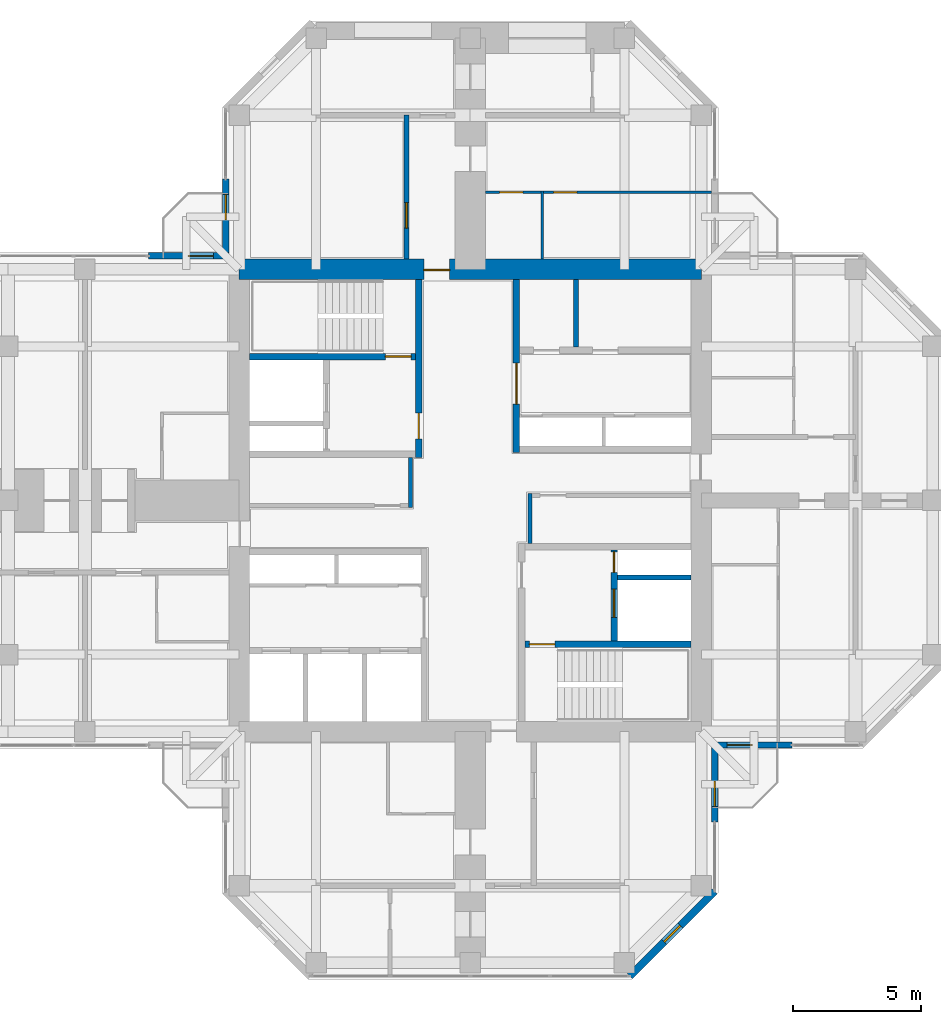
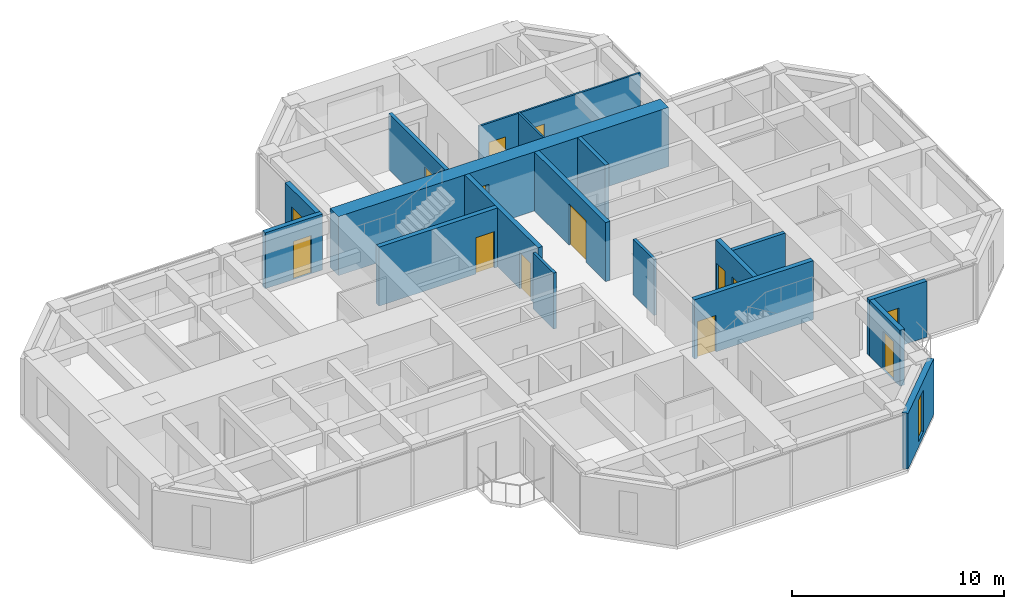
# One storey, part 10 of 13: 18 walls, 14 doors, 1 window, 15 openings.
"""IFC4 building model written with IfcOpenShell, lengths in metres."""

import ifcopenshell
import ifcopenshell.guid

model = None  # the IFC model being written
_history = None  # IfcOwnerHistory: only IFC2X3 demands one
_inside = {}  # id of a spatial element -> (the spatial element, [elements in it])
_under = {}  # id of a project, library or spatial element -> (it, [spatial elements below it])
_declared = {}  # id of a project -> (the project, [libraries it declares])
_typed = {}  # id of a type object -> (the type object, [elements of that type])
_made_of = {}  # id of a material, layer set ... -> (it, [elements and type objects made of it])


def new_model(schema):
    """Start an empty IFC model of exactly this schema.

    Asked for "IFC4X3", IfcOpenShell would pick the latest addendum, in which some entities
    have other attributes; the version numbers below select the first issue.
    IFC2X3 requires an IfcOwnerHistory on every rooted entity: one is made here for all.
    """
    global model, _history
    if schema == "IFC4X3":
        model = ifcopenshell.file(schema_version=(4, 3, 0, 0))
    else:
        model = ifcopenshell.file(schema=schema)
    _inside.clear()
    _under.clear()
    _declared.clear()
    _typed.clear()
    _made_of.clear()
    _history = None
    if model.schema == "IFC2X3":
        org = make("IfcOrganization", Name="unknown")
        user = make(
            "IfcPersonAndOrganization",
            ThePerson=make("IfcPerson", FamilyName="unknown"),
            TheOrganization=org,
        )
        app = make(
            "IfcApplication",
            ApplicationDeveloper=org,
            Version="unknown",
            ApplicationFullName="unknown",
            ApplicationIdentifier="unknown",
        )
        _history = make(
            "IfcOwnerHistory",
            OwningUser=user,
            OwningApplication=app,
            ChangeAction="ADDED",
            CreationDate=0,
        )
    return model


def make(cls, **values):
    """One entity of the class cls with the attributes given. An attribute that is None is left unset."""
    return model.create_entity(
        cls, **{name: value for name, value in values.items() if value is not None}
    )


def rooted(cls, **values):
    """An entity with a GlobalId (a new one), such as an element, a storey or a relation."""
    return make(cls, GlobalId=ifcopenshell.guid.new(), OwnerHistory=_history, **values)


def si_unit(unit_type, name, prefix=None):
    """IfcSIUnit, for example si_unit("LENGTHUNIT", "METRE", prefix="MILLI")."""
    return make("IfcSIUnit", UnitType=unit_type, Prefix=prefix, Name=name)


def assignment(units):
    """IfcUnitAssignment: the units of a project."""
    return None if units is None else make("IfcUnitAssignment", Units=units)


def point(xyz):
    """IfcCartesianPoint."""
    return None if xyz is None else make("IfcCartesianPoint", Coordinates=xyz)


def direction(xyz):
    """IfcDirection."""
    return None if xyz is None else make("IfcDirection", DirectionRatios=xyz)


def frame(location, z_axis=None, x_axis=None):
    """IfcAxis2Placement3D, a coordinate frame: its origin and axes. An axis left out is left unset."""
    return make(
        "IfcAxis2Placement3D",
        Location=point(location),
        Axis=direction(z_axis),
        RefDirection=direction(x_axis),
    )


def frame_2d(location, x_axis=None):
    """IfcAxis2Placement2D, a coordinate frame in the plane: its origin and x axis."""
    return make(
        "IfcAxis2Placement2D", Location=point(location), RefDirection=direction(x_axis)
    )


def origin():
    """The frame at (0, 0, 0) with its axes left unset."""
    return frame((0.0, 0.0, 0.0))


def place(relative_to, where):
    """IfcLocalPlacement: puts the frame where relative to a parent placement (None: the world)."""
    return make(
        "IfcLocalPlacement", PlacementRelTo=relative_to, RelativePlacement=where
    )


def context(
    kind, dimensions, precision=None, world=None, true_north=None, identifier=None
):
    """IfcGeometricRepresentationContext, for example the 3D "Model" context."""
    return make(
        "IfcGeometricRepresentationContext",
        ContextIdentifier=identifier,
        ContextType=kind,
        CoordinateSpaceDimension=dimensions,
        Precision=precision,
        WorldCoordinateSystem=world,
        TrueNorth=true_north,
    )


def subcontext(parent, identifier, kind, view, scale=None):
    """IfcGeometricRepresentationSubContext, for example "Body" below "Model"."""
    return make(
        "IfcGeometricRepresentationSubContext",
        ContextIdentifier=identifier,
        ContextType=kind,
        ParentContext=parent,
        TargetScale=scale,
        TargetView=view,
    )


def project(units=None, contexts=None):
    """IfcProject with its units and contexts."""
    return rooted(
        "IfcProject",
        Name="project",
        RepresentationContexts=contexts,
        UnitsInContext=assignment(units),
    )


def spatial(cls, under=None, at=None, **own):
    """A site, building, storey or space (cls), placed at a placement, below another one or the project."""
    s = rooted(cls, ObjectPlacement=at, **own)
    if under is not None:
        _under.setdefault(under.id(), (under, []))[1].append(s)
    return s


def profile(cls, at=None, kind="AREA", **sizes):
    """A parametric profile (cls). Its sizes go by their IFC names, for example OverallWidth=200.0."""
    return make(cls, ProfileType=kind, Position=at, **sizes)


def rectangle(**sizes):
    """IfcRectangleProfileDef."""
    return profile("IfcRectangleProfileDef", **sizes)


def hollow_rectangle(**sizes):
    """IfcRectangleHollowProfileDef."""
    return profile("IfcRectangleHollowProfileDef", **sizes)


def extrude(swept, where, along, depth):
    """IfcExtrudedAreaSolid: the profile swept, set in the frame where, extruded along a direction by depth."""
    return make(
        "IfcExtrudedAreaSolid",
        SweptArea=swept,
        Position=where,
        ExtrudedDirection=direction(along),
        Depth=depth,
    )


def shape(context_of_items, identifier, shape_type, items):
    """IfcShapeRepresentation: the items that make up one representation, for example the "Body"."""
    return make(
        "IfcShapeRepresentation",
        ContextOfItems=context_of_items,
        RepresentationIdentifier=identifier,
        RepresentationType=shape_type,
        Items=items,
    )


def material(Name=None, Category=None):
    """IfcMaterial."""
    return make("IfcMaterial", Name=Name, Category=Category)


def layer(
    of_material, thickness, ventilated=None, Name=None, Category=None, Priority=None
):
    """IfcMaterialLayer: one layer of a wall or slab, of a material (None: an air gap)."""
    return make(
        "IfcMaterialLayer",
        Material=of_material,
        LayerThickness=thickness,
        IsVentilated=ventilated,
        Name=Name,
        Category=Category,
        Priority=Priority,
    )


def layer_set(layers, Name=None):
    """IfcMaterialLayerSet."""
    return make("IfcMaterialLayerSet", MaterialLayers=layers, LayerSetName=Name)


def constituent(of_material, Name=None, Category=None, fraction=None):
    """IfcMaterialConstituent: one of the materials an element consists of."""
    return make(
        "IfcMaterialConstituent",
        Name=Name,
        Material=of_material,
        Fraction=fraction,
        Category=Category,
    )


def constituent_set(constituents=None, Name=None):
    """IfcMaterialConstituentSet."""
    return make(
        "IfcMaterialConstituentSet", Name=Name, MaterialConstituents=constituents
    )


def made_of(thing, what):
    """Note that an element or type object is made of a material, layer set ...; save() writes the relation."""
    if what is not None:
        _made_of.setdefault(what.id(), (what, []))[1].append(thing)
    return thing


def type_object(cls, material=None, **own):
    """A type object (cls), such as IfcWallType, which elements share."""
    return made_of(rooted(cls, **own), material)


def element(
    cls,
    number,
    at=None,
    inside=None,
    cuts=None,
    type_object=None,
    material=None,
    context=None,
    identifier="Body",
    shape_type=None,
    held_by="IfcProductDefinitionShape",
    body=None,
    shapes=None,
    **own,
):
    """One element of the class cls, such as IfcWall. Its Tag is "e" and its number.

    at: its placement. inside: the storey or other place that contains it. cuts: it is an
    opening in that element (IfcRelVoidsElement). A single representation is given by context,
    identifier, shape_type and body (its items); several are given by shapes. held_by: the class
    of the entity that holds the representations. save() writes the other relations.
    """
    e = rooted(cls, Tag="e%d" % number, ObjectPlacement=at, **own)
    if body is not None:
        shapes = [shape(context, identifier, shape_type, body)]
    if shapes is not None:
        e.Representation = make(held_by, Representations=shapes)
    if inside is not None:
        _inside.setdefault(inside.id(), (inside, []))[1].append(e)
    if cuts is not None:
        rooted(
            "IfcRelVoidsElement", RelatingBuildingElement=cuts, RelatedOpeningElement=e
        )
    if type_object is not None:
        _typed.setdefault(type_object.id(), (type_object, []))[1].append(e)
    return made_of(e, material)


def fill(opening, filler):
    """IfcRelFillsElement: the door or window that sits in an opening."""
    return rooted(
        "IfcRelFillsElement",
        RelatingOpeningElement=opening,
        RelatedBuildingElement=filler,
    )


def aggregate(whole, parts):
    """IfcRelAggregates: a whole, such as a stair, and the parts it consists of."""
    return rooted("IfcRelAggregates", RelatingObject=whole, RelatedObjects=parts)


def save(model, path):
    """Write the relations noted so far, then the file.

    IfcRelAggregates (storeys below a building ...), IfcRelContainedInSpatialStructure (elements
    in a storey), IfcRelDefinesByType, IfcRelAssociatesMaterial and IfcRelDeclares: one each for
    every whole, place, type object, material and project.
    """
    for whole, parts in _under.values():
        aggregate(whole, parts)
    for where, things in _inside.values():
        rooted(
            "IfcRelContainedInSpatialStructure",
            RelatedElements=things,
            RelatingStructure=where,
        )
    for kind, things in _typed.values():
        rooted("IfcRelDefinesByType", RelatedObjects=things, RelatingType=kind)
    for what, things in _made_of.values():
        rooted("IfcRelAssociatesMaterial", RelatedObjects=things, RelatingMaterial=what)
    for by, libraries in _declared.values():
        rooted("IfcRelDeclares", RelatingContext=by, RelatedDefinitions=libraries)
    model.write(path)


model = new_model("IFC4")

# Units and contexts
model_context = context("Model", 3, precision=1e-05, world=origin(), true_north=direction((0.0, 1.0)))
body_context = subcontext(model_context, "Body", "Model", "MODEL_VIEW")
ifc_project = project(units=[si_unit("LENGTHUNIT", "METRE"), si_unit("AREAUNIT", "SQUARE_METRE"), si_unit("VOLUMEUNIT", "CUBIC_METRE"), si_unit("PLANEANGLEUNIT", "RADIAN"), si_unit("MASSUNIT", "GRAM", prefix="KILO")], contexts=[model_context])

# Site, building, storey
site_placement = place(None, origin())
site = spatial("IfcSite", under=ifc_project, at=site_placement, CompositionType="ELEMENT")
building_placement = place(site_placement, origin())
building = spatial("IfcBuilding", under=site, at=building_placement, Name="Torre Cruceta", CompositionType="ELEMENT")
storey_placement = place(building_placement, frame((0.0, 0.0, 242.5)))
storey = spatial("IfcBuildingStorey", under=building, at=storey_placement, Name="L62", CompositionType="ELEMENT", Elevation=242.5)

# Wall
ifc_material_1 = material(Name="Water-resistant plasterboard on steel studs", Category="steel")
ifc_layer_1 = layer(ifc_material_1, 0.10009765625)
ifc_layer_set_1 = layer_set([ifc_layer_1], Name="Water-resistant plasterboard on steel studs")
wall_type_1 = type_object("IfcWallType", Name="BATHROOM WALL 100", PredefinedType="PARTITIONING", material=ifc_layer_set_1)
wall_1_placement = place(storey_placement, frame((2.800048828125, 9.39990234375, 0.0), z_axis=(0.0, 0.0, 1.0), x_axis=(0.0, 1.0, 0.0)))
element("IfcWall", 1, at=wall_1_placement, inside=storey, type_object=wall_type_1, Name="PT4 L62-N-U1RBB", PredefinedType="PARTITIONING", context=body_context, shape_type="SweptSolid", body=[
    extrude(rectangle(XDim=2.650146484375, YDim=0.10009765625, at=frame_2d((1.3251953125, 0.0))), origin(), (0.0, 0.0, 1.0), 3.219970703125),
])

# Wall, openings, doors
wall_2_placement = place(storey_placement, frame((9.39501953125, 12.0, 0.0), z_axis=(0.0, 0.0, 1.0), x_axis=(-1.0, 0.0, 0.0)))
wall_2 = element("IfcWall", 2, at=wall_2_placement, inside=storey, type_object=wall_type_1, Name="PT4 L62-N-U1RBS", PredefinedType="PARTITIONING", context=body_context, shape_type="SweptSolid", body=[
    extrude(rectangle(XDim=8.794921875, YDim=0.10009765625, at=frame_2d((4.3974609375, 0.0))), origin(), (0.0, 0.0, 1.0), 3.219970703125),
])
opening_1_placement = place(wall_2_placement, frame((5.2451171875, 0.0, 0.0)))
opening_1 = element("IfcOpeningElement", 3, at=opening_1_placement, cuts=wall_2, Name="Opening D7", PredefinedType="OPENING", context=body_context, shape_type="SweptSolid", body=[
    extrude(rectangle(XDim=0.89990234375, YDim=2.10009765625, at=frame_2d((0.449951171875, 1.050048828125))), frame((0.0, 0.06005859375, 0.0), z_axis=(0.0, -1.0, 0.0), x_axis=(1.0, 0.0, 0.0)), (0.0, 0.0, 1.0), 0.1201171875),
])
opening_2_placement = place(wall_2_placement, frame((7.344970703125, 0.0, 0.0)))
opening_2 = element("IfcOpeningElement", 4, at=opening_2_placement, cuts=wall_2, Name="Opening D7", PredefinedType="OPENING", context=body_context, shape_type="SweptSolid", body=[
    extrude(rectangle(XDim=0.89990234375, YDim=2.10009765625, at=frame_2d((0.449951171875, 1.050048828125))), frame((0.0, 0.06005859375, 0.0), z_axis=(0.0, -1.0, 0.0), x_axis=(1.0, 0.0, 0.0)), (0.0, 0.0, 1.0), 0.1201171875),
])
ifc_material_2 = material(Name="Timber door", Category="wood")
door_type_1 = type_object("IfcDoorType", Name="BATHROOM DOOR 900X2100", OperationType="SINGLE_SWING_LEFT", PredefinedType="DOOR", material=ifc_material_2)
door_1_placement = place(opening_1_placement, origin())
door_1 = element("IfcDoor", 5, at=door_1_placement, inside=storey, type_object=door_type_1, Name="D7 L62-N-U1RBS-D1", OperationType="SINGLE_SWING_RIGHT", OverallHeight=2.10009765625, OverallWidth=0.89990234375, PredefinedType="DOOR", context=body_context, shape_type="SweptSolid", body=[
    extrude(rectangle(XDim=0.89990234375, YDim=2.10009765625, at=frame_2d((0.449951171875, 1.050048828125))), frame((0.0, 0.02490234375, 0.0), z_axis=(0.0, -1.0, 0.0), x_axis=(1.0, 0.0, 0.0)), (0.0, 0.0, 1.0), 0.050048828125),
])
fill(opening_1, door_1)
door_2_placement = place(opening_2_placement, origin())
door_2 = element("IfcDoor", 6, at=door_2_placement, inside=storey, type_object=door_type_1, Name="D7 L62-N-U1RBS-D2", OperationType="SINGLE_SWING_RIGHT", OverallHeight=2.10009765625, OverallWidth=0.89990234375, PredefinedType="DOOR", context=body_context, shape_type="SweptSolid", body=[
    extrude(rectangle(XDim=0.89990234375, YDim=2.10009765625, at=frame_2d((0.449951171875, 1.050048828125))), frame((0.0, 0.02490234375, 0.0), z_axis=(0.0, -1.0, 0.0), x_axis=(1.0, 0.0, 0.0)), (0.0, 0.0, 1.0), 0.050048828125),
])
fill(opening_2, door_2)

# Wall, opening, door
ifc_material_3 = material(Name="Concrete G60 (fck 60 MPa)", Category="concrete")
ifc_layer_2 = layer(ifc_material_3, 0.25)
ifc_layer_set_2 = layer_set([ifc_layer_2], Name="Concrete G60 (fck 60 MPa)")
wall_type_2 = type_object("IfcWallType", Name="CORE INNER WALL 250 G60", PredefinedType="SHEAR", material=ifc_layer_set_2)
wall_3_placement = place(storey_placement, frame((1.800048828125, 1.875, 0.0), z_axis=(0.0, 0.0, 1.0), x_axis=(0.0, 1.0, 0.0)))
wall_3 = element("IfcWall", 7, at=wall_3_placement, inside=storey, type_object=wall_type_2, Name="CW4 L62 NE-CU", PredefinedType="SHEAR", context=body_context, shape_type="SweptSolid", body=[
    extrude(rectangle(XDim=6.72509765625, YDim=0.25, at=frame_2d((3.362548828125, 0.0))), origin(), (0.0, 0.0, 1.0), 3.39990234375),
])
opening_3_placement = place(wall_3_placement, frame((1.875, 0.0, 0.0)))
opening_3 = element("IfcOpeningElement", 8, at=opening_3_placement, cuts=wall_3, Name="Opening D15", PredefinedType="OPENING", context=body_context, shape_type="SweptSolid", body=[
    extrude(rectangle(XDim=1.60009765625, YDim=2.39990234375, at=frame_2d((0.800048828125, 1.199951171875))), frame((0.0, 0.135009765625, 0.0), z_axis=(0.0, -1.0, 0.0), x_axis=(1.0, 0.0, 0.0)), (0.0, 0.0, 1.0), 0.27001953125),
])
ifc_material_4 = material(Name="Steel DX51D", Category="steel")
ifc_constituent_1 = constituent(ifc_material_4, Name="Leaf and frame")
ifc_material_5 = material(Name="Polyester powder coating", Category="paint")
ifc_constituent_2 = constituent(ifc_material_5, Name="Finish")
ifc_constituent_set_1 = constituent_set(constituents=[ifc_constituent_1, ifc_constituent_2], Name="Steel fire door")
door_type_2 = type_object("IfcDoorType", Name="CORE ROOM DOUBLE DOOR 1600X2400", OperationType="DOUBLE_DOOR_SINGLE_SWING", PredefinedType="DOOR", material=ifc_constituent_set_1)
door_3_placement = place(opening_3_placement, frame((1.60009765625, 0.0, 0.0), z_axis=(0.0, 0.0, 1.0), x_axis=(-1.0, 0.0, 0.0)))
door_3 = element("IfcDoor", 9, at=door_3_placement, inside=storey, type_object=door_type_2, Name="D15 L62 NE-LOBBY", OperationType="DOUBLE_DOOR_SINGLE_SWING", OverallHeight=2.39990234375, OverallWidth=1.60009765625, PredefinedType="DOOR", context=body_context, shape_type="SweptSolid", body=[
    extrude(rectangle(XDim=1.60009765625, YDim=2.39990234375, at=frame_2d((0.800048828125, 1.199951171875))), frame((0.0, 0.025146484375, 0.0), z_axis=(0.0, -1.0, 0.0), x_axis=(1.0, 0.0, 0.0)), (0.0, 0.0, 1.0), 0.050048828125),
])
fill(opening_3, door_3)

wall_4_placement = place(storey_placement, frame((-2.0, 1.675048828125, 0.0), z_axis=(0.0, 0.0, 1.0), x_axis=(0.0, 1.0, 0.0)))
wall_4 = element("IfcWall", 10, at=wall_4_placement, inside=storey, type_object=wall_type_2, Name="CW4 L62 NW-CU", PredefinedType="SHEAR", context=body_context, shape_type="SweptSolid", body=[
    extrude(rectangle(XDim=6.925048828125, YDim=0.25, at=frame_2d((3.46240234375, 0.0))), origin(), (0.0, 0.0, 1.0), 3.39990234375),
])
opening_4_placement = place(wall_4_placement, frame((0.72509765625, 0.0, 0.0)))
opening_4 = element("IfcOpeningElement", 11, at=opening_4_placement, cuts=wall_4, Name="Opening D3", PredefinedType="OPENING", context=body_context, shape_type="SweptSolid", body=[
    extrude(rectangle(XDim=1.0, YDim=2.10009765625, at=frame_2d((0.5, 1.050048828125))), frame((0.0, 0.135009765625, 0.0), z_axis=(0.0, -1.0, 0.0), x_axis=(1.0, 0.0, 0.0)), (0.0, 0.0, 1.0), 0.27001953125),
])
ifc_material_6 = material(Name="Steel DX51D", Category="steel")
ifc_constituent_3 = constituent(ifc_material_6, Name="Leaf and frame")
ifc_material_7 = material(Name="Polyester powder coating", Category="paint")
ifc_constituent_4 = constituent(ifc_material_7, Name="Finish")
ifc_constituent_set_2 = constituent_set(constituents=[ifc_constituent_3, ifc_constituent_4], Name="Steel fire door")
door_type_3 = type_object("IfcDoorType", Name="FIRE DOOR 1000X2100", OperationType="SINGLE_SWING_LEFT", PredefinedType="DOOR", material=ifc_constituent_set_2)
door_4_placement = place(opening_4_placement, origin())
door_4 = element("IfcDoor", 12, at=door_4_placement, inside=storey, type_object=door_type_3, Name="D3 L62 NW-LOBBY", OperationType="SINGLE_SWING_LEFT", OverallHeight=2.10009765625, OverallWidth=1.0, PredefinedType="DOOR", context=body_context, shape_type="SweptSolid", body=[
    extrude(rectangle(XDim=1.0, YDim=2.10009765625, at=frame_2d((0.5, 1.050048828125))), frame((0.0, 0.02490234375, 0.0), z_axis=(0.0, -1.0, 0.0), x_axis=(1.0, 0.0, 0.0)), (0.0, 0.0, 1.0), 0.050048828125),
])
fill(opening_4, door_4)

wall_5_placement = place(storey_placement, frame((-2.125, 5.60009765625, 0.0), z_axis=(0.0, 0.0, 1.0), x_axis=(-1.0, 0.0, 0.0)))
wall_5 = element("IfcWall", 13, at=wall_5_placement, inside=storey, type_object=wall_type_2, Name="CW4 L62 NW-SV", PredefinedType="SHEAR", context=body_context, shape_type="SweptSolid", body=[
    extrude(rectangle(XDim=6.47509765625, YDim=0.25, at=frame_2d((3.237548828125, 0.0))), origin(), (0.0, 0.0, 1.0), 3.39990234375),
])
opening_5_placement = place(wall_5_placement, frame((0.175048828125, 0.0, 0.0)))
opening_5 = element("IfcOpeningElement", 14, at=opening_5_placement, cuts=wall_5, Name="Opening D3", PredefinedType="OPENING", context=body_context, shape_type="SweptSolid", body=[
    extrude(rectangle(XDim=1.0, YDim=2.10009765625, at=frame_2d((0.5, 1.050048828125))), frame((0.0, 0.135009765625, 0.0), z_axis=(0.0, -1.0, 0.0), x_axis=(1.0, 0.0, 0.0)), (0.0, 0.0, 1.0), 0.27001953125),
])
door_5_placement = place(opening_5_placement, frame((1.0, 0.0, 0.0), z_axis=(0.0, 0.0, 1.0), x_axis=(-1.0, 0.0, 0.0)))
door_5 = element("IfcDoor", 15, at=door_5_placement, inside=storey, type_object=door_type_3, Name="D3 L62 NW-STAIR", OperationType="SINGLE_SWING_RIGHT", OverallHeight=2.10009765625, OverallWidth=1.0, PredefinedType="DOOR", context=body_context, shape_type="SweptSolid", body=[
    extrude(rectangle(XDim=1.0, YDim=2.10009765625, at=frame_2d((0.5, 1.050048828125))), frame((0.0, 0.025146484375, 0.0), z_axis=(0.0, -1.0, 0.0), x_axis=(1.0, 0.0, 0.0)), (0.0, 0.0, 1.0), 0.050048828125),
])
fill(opening_5, door_5)

wall_6_placement = place(storey_placement, frame((2.125, -5.60009765625, 0.0), z_axis=(0.0, 0.0, 1.0), x_axis=(1.0, 0.0, 0.0)))
wall_6 = element("IfcWall", 16, at=wall_6_placement, inside=storey, type_object=wall_type_2, Name="CW4 L62 SE-SV", PredefinedType="SHEAR", context=body_context, shape_type="SweptSolid", body=[
    extrude(rectangle(XDim=6.47509765625, YDim=0.25, at=frame_2d((3.237548828125, 0.0))), origin(), (0.0, 0.0, 1.0), 3.39990234375),
])
opening_6_placement = place(wall_6_placement, frame((0.175048828125, 0.0, 0.0)))
opening_6 = element("IfcOpeningElement", 17, at=opening_6_placement, cuts=wall_6, Name="Opening D3", PredefinedType="OPENING", context=body_context, shape_type="SweptSolid", body=[
    extrude(rectangle(XDim=1.0, YDim=2.10009765625, at=frame_2d((0.5, 1.050048828125))), frame((0.0, 0.135009765625, 0.0), z_axis=(0.0, -1.0, 0.0), x_axis=(1.0, 0.0, 0.0)), (0.0, 0.0, 1.0), 0.27001953125),
])
door_6_placement = place(opening_6_placement, frame((1.0, 0.0, 0.0), z_axis=(0.0, 0.0, 1.0), x_axis=(-1.0, 0.0, 0.0)))
door_6 = element("IfcDoor", 18, at=door_6_placement, inside=storey, type_object=door_type_3, Name="D3 L62 SE-STAIR", OperationType="SINGLE_SWING_RIGHT", OverallHeight=2.10009765625, OverallWidth=1.0, PredefinedType="DOOR", context=body_context, shape_type="SweptSolid", body=[
    extrude(rectangle(XDim=1.0, YDim=2.10009765625, at=frame_2d((0.5, 1.050048828125))), frame((0.0, 0.025146484375, 0.0), z_axis=(0.0, -1.0, 0.0), x_axis=(1.0, 0.0, 0.0)), (0.0, 0.0, 1.0), 0.050048828125),
])
fill(opening_6, door_6)

# Wall, openings, doors
wall_7_placement = place(storey_placement, frame((5.60009765625, -1.925048828125, 0.0), z_axis=(0.0, 0.0, 1.0), x_axis=(0.0, -1.0, 0.0)))
wall_7 = element("IfcWall", 19, at=wall_7_placement, inside=storey, type_object=wall_type_2, Name="CW4 L62 SE-FU", PredefinedType="SHEAR", context=body_context, shape_type="SweptSolid", body=[
    extrude(rectangle(XDim=3.550048828125, YDim=0.25, at=frame_2d((1.77490234375, 0.0))), origin(), (0.0, 0.0, 1.0), 3.39990234375),
])
opening_7_placement = place(wall_7_placement, frame((1.52490234375, 0.0, 0.0)))
opening_7 = element("IfcOpeningElement", 20, at=opening_7_placement, cuts=wall_7, Name="Opening LD1", PredefinedType="OPENING", context=body_context, shape_type="SweptSolid", body=[
    extrude(rectangle(XDim=1.10009765625, YDim=2.199951171875, at=frame_2d((0.550048828125, 1.10009765625))), frame((0.0, 0.135009765625, 0.0), z_axis=(0.0, -1.0, 0.0), x_axis=(1.0, 0.0, 0.0)), (0.0, 0.0, 1.0), 0.27001953125),
])
opening_8_placement = place(wall_7_placement, frame((0.074951171875, 0.0, 0.0)))
opening_8 = element("IfcOpeningElement", 21, at=opening_8_placement, cuts=wall_7, Name="Opening D5", PredefinedType="OPENING", context=body_context, shape_type="SweptSolid", body=[
    extrude(rectangle(XDim=0.800048828125, YDim=2.10009765625, at=frame_2d((0.39990234375, 1.050048828125))), frame((0.0, 0.135009765625, 0.0), z_axis=(0.0, -1.0, 0.0), x_axis=(1.0, 0.0, 0.0)), (0.0, 0.0, 1.0), 0.27001953125),
])
ifc_material_8 = material(Name="Stainless steel 1.4401", Category="steel")
door_type_4 = type_object("IfcDoorType", Name="LIFT LANDING DOOR 1100X2200", OperationType="DOUBLE_DOOR_SLIDING", PredefinedType="DOOR", material=ifc_material_8)
door_7_placement = place(opening_7_placement, origin())
door_7 = element("IfcDoor", 22, at=door_7_placement, inside=storey, type_object=door_type_4, Name="Lift landing door FL2", OperationType="DOUBLE_DOOR_SLIDING", OverallHeight=2.199951171875, OverallWidth=1.10009765625, PredefinedType="DOOR", context=body_context, shape_type="SweptSolid", body=[
    extrude(rectangle(XDim=1.10009765625, YDim=2.199951171875, at=frame_2d((0.550048828125, 1.10009765625))), frame((0.0, 0.02490234375, 0.0), z_axis=(0.0, -1.0, 0.0), x_axis=(1.0, 0.0, 0.0)), (0.0, 0.0, 1.0), 0.050048828125),
])
fill(opening_7, door_7)
ifc_material_9 = material(Name="Steel DX51D", Category="steel")
ifc_constituent_5 = constituent(ifc_material_9, Name="Leaf and frame")
ifc_material_10 = material(Name="Polyester powder coating", Category="paint")
ifc_constituent_6 = constituent(ifc_material_10, Name="Finish")
ifc_constituent_set_3 = constituent_set(constituents=[ifc_constituent_5, ifc_constituent_6], Name="Steel fire door")
door_type_5 = type_object("IfcDoorType", Name="RISER ACCESS DOOR 800X2100", OperationType="SINGLE_SWING_LEFT", PredefinedType="DOOR", material=ifc_constituent_set_3)
door_8_placement = place(opening_8_placement, origin())
door_8 = element("IfcDoor", 23, at=door_8_placement, inside=storey, type_object=door_type_5, Name="D5 L62 SE-RISER", OperationType="SINGLE_SWING_LEFT", OverallHeight=2.10009765625, OverallWidth=0.800048828125, PredefinedType="DOOR", context=body_context, shape_type="SweptSolid", body=[
    extrude(rectangle(XDim=0.800048828125, YDim=2.10009765625, at=frame_2d((0.39990234375, 1.050048828125))), frame((0.0, 0.02490234375, 0.0), z_axis=(0.0, -1.0, 0.0), x_axis=(1.0, 0.0, 0.0)), (0.0, 0.0, 1.0), 0.050048828125),
])
fill(opening_8, door_8)

# Wall, opening, door
ifc_material_11 = material(Name="Concrete G60 (fck 60 MPa)", Category="concrete")
ifc_layer_3 = layer(ifc_material_11, 0.800048828125)
ifc_layer_set_3 = layer_set([ifc_layer_3], Name="Concrete G60 (fck 60 MPa)")
wall_type_3 = type_object("IfcWallType", Name="CORE WALL 800 G60", PredefinedType="SHEAR", material=ifc_layer_set_3)
wall_8_placement = place(storey_placement, frame((9.0, 9.0, 0.0), z_axis=(0.0, 0.0, 1.0), x_axis=(-1.0, 0.0, 0.0)))
wall_8 = element("IfcWall", 24, at=wall_8_placement, inside=storey, type_object=wall_type_3, Name="CW3 L62 CW-N", PredefinedType="SHEAR", context=body_context, shape_type="SweptSolid", body=[
    extrude(rectangle(XDim=18.0, YDim=0.800048828125, at=frame_2d((9.0, 0.0))), origin(), (0.0, 0.0, 1.0), 3.39990234375),
])
opening_9_placement = place(wall_8_placement, frame((9.800048828125, 0.0, 0.0)))
opening_9 = element("IfcOpeningElement", 25, at=opening_9_placement, cuts=wall_8, Name="Opening D4", PredefinedType="OPENING", context=body_context, shape_type="SweptSolid", body=[
    extrude(rectangle(XDim=1.0, YDim=2.39990234375, at=frame_2d((0.5, 1.199951171875))), frame((0.0, 0.409912109375, 0.0), z_axis=(0.0, -1.0, 0.0), x_axis=(1.0, 0.0, 0.0)), (0.0, 0.0, 1.0), 0.820068359375),
])
ifc_material_12 = material(Name="Steel DX51D", Category="steel")
ifc_constituent_7 = constituent(ifc_material_12, Name="Leaf and frame")
ifc_material_13 = material(Name="Polyester powder coating", Category="paint")
ifc_constituent_8 = constituent(ifc_material_13, Name="Finish")
ifc_constituent_set_4 = constituent_set(constituents=[ifc_constituent_7, ifc_constituent_8], Name="Steel fire door")
door_type_6 = type_object("IfcDoorType", Name="CORE ARM DOOR 1000X2400", OperationType="SINGLE_SWING_RIGHT", PredefinedType="DOOR", material=ifc_constituent_set_4)
door_9_placement = place(opening_9_placement, origin())
door_9 = element("IfcDoor", 26, at=door_9_placement, inside=storey, type_object=door_type_6, Name="D4 L62 CW-N", OperationType="SINGLE_SWING_RIGHT", OverallHeight=2.39990234375, OverallWidth=1.0, PredefinedType="DOOR", context=body_context, shape_type="SweptSolid", body=[
    extrude(rectangle(XDim=1.0, YDim=2.39990234375, at=frame_2d((0.5, 1.199951171875))), frame((0.0, 0.05517578125, 0.0), z_axis=(0.0, -1.0, 0.0), x_axis=(1.0, 0.0, 0.0)), (0.0, 0.0, 1.0), 0.050048828125),
])
fill(opening_9, door_9)

ifc_material_14 = material(Name="Concrete G25 (fck 25 MPa)", Category="concrete")
ifc_layer_4 = layer(ifc_material_14, 0.199951171875)
ifc_layer_set_4 = layer_set([ifc_layer_4], Name="Concrete G25 (fck 25 MPa)")
wall_type_4 = type_object("IfcWallType", Name="CORRIDOR WALL 200", PredefinedType="SOLIDWALL", material=ifc_layer_set_4)
wall_9_placement = place(storey_placement, frame((-2.47509765625, 9.39990234375, 0.0), z_axis=(0.0, 0.0, 1.0), x_axis=(0.0, 1.0, 0.0)))
wall_9 = element("IfcWall", 27, at=wall_9_placement, inside=storey, type_object=wall_type_4, Name="PT3 L62-N-CL", PredefinedType="SOLIDWALL", context=body_context, shape_type="SweptSolid", body=[
    extrude(rectangle(XDim=5.60009765625, YDim=0.199951171875, at=frame_2d((2.800048828125, 0.0))), origin(), (0.0, 0.0, 1.0), 3.219970703125),
])
opening_10_placement = place(wall_9_placement, frame((1.199951171875, 0.0, 0.0)))
opening_10 = element("IfcOpeningElement", 28, at=opening_10_placement, cuts=wall_9, Name="Opening D14", PredefinedType="OPENING", context=body_context, shape_type="SweptSolid", body=[
    extrude(rectangle(XDim=1.0, YDim=2.199951171875, at=frame_2d((0.5, 1.10009765625))), frame((0.0, 0.10986328125, 0.0), z_axis=(0.0, -1.0, 0.0), x_axis=(1.0, 0.0, 0.0)), (0.0, 0.0, 1.0), 0.219970703125),
])
ifc_material_15 = material(Name="Steel DX51D", Category="steel")
ifc_constituent_9 = constituent(ifc_material_15, Name="Leaf and frame")
ifc_material_16 = material(Name="Polyester powder coating", Category="paint")
ifc_constituent_10 = constituent(ifc_material_16, Name="Finish")
ifc_material_17 = material(Name="Fire-resisting glass", Category="glass")
ifc_constituent_11 = constituent(ifc_material_17, Name="Vision panel")
ifc_constituent_set_5 = constituent_set(constituents=[ifc_constituent_9, ifc_constituent_10, ifc_constituent_11], Name="Steel fire door with vision panel")
door_type_7 = type_object("IfcDoorType", Name="FIRE DOOR VISION PANEL 1000X2200", OperationType="SINGLE_SWING_RIGHT", PredefinedType="DOOR", material=ifc_constituent_set_5)
door_10_placement = place(opening_10_placement, origin())
door_10 = element("IfcDoor", 29, at=door_10_placement, inside=storey, type_object=door_type_7, Name="D14 L62-N-CL-D1", OperationType="SINGLE_SWING_LEFT", OverallHeight=2.199951171875, OverallWidth=1.0, PredefinedType="DOOR", context=body_context, shape_type="SweptSolid", body=[
    extrude(rectangle(XDim=1.0, YDim=2.199951171875, at=frame_2d((0.5, 1.10009765625))), frame((0.0, 0.02490234375, 0.0), z_axis=(0.0, -1.0, 0.0), x_axis=(1.0, 0.0, 0.0)), (0.0, 0.0, 1.0), 0.050048828125),
])
fill(opening_10, door_10)

# Wall, opening, window
ifc_material_18 = material(Name="Concrete G30 (fck 30 MPa)", Category="concrete")
ifc_layer_5 = layer(ifc_material_18, 0.300048828125)
ifc_layer_set_5 = layer_set([ifc_layer_5], Name="Concrete G30 (fck 30 MPa)")
wall_type_5 = type_object("IfcWallType", Name="EXPOSED CONCRETE FACADE WALL 300", PredefinedType="SOLIDWALL", material=ifc_layer_set_5)
wall_10_placement = place(storey_placement, frame((6.21533203125, -18.52001953125, 0.0), z_axis=(0.0, 0.0, 1.0), x_axis=(0.707106781187, 0.707106781187, 0.0)))
wall_10 = element("IfcWall", 30, at=wall_10_placement, inside=storey, type_object=wall_type_5, Name="EW1 facade wall L62 S chamfer 18", PredefinedType="SOLIDWALL", context=body_context, shape_type="SweptSolid", body=[
    extrude(rectangle(XDim=4.673583984375, YDim=0.300048828125, at=frame_2d((2.3369140625, 0.0))), origin(), (0.0, 0.0, 1.0), 3.219970703125),
])
opening_11_placement = place(wall_10_placement, frame((1.88671875, 0.0, 0.300048828125)))
opening_11 = element("IfcOpeningElement", 31, at=opening_11_placement, cuts=wall_10, Name="Opening WN5", PredefinedType="OPENING", context=body_context, shape_type="SweptSolid", body=[
    extrude(rectangle(XDim=0.89990234375, YDim=2.39990234375, at=frame_2d((0.449951171875, 1.199951171875))), frame((0.0, 0.159912109375, 0.0), z_axis=(0.0, -1.0, 0.0), x_axis=(1.0, 0.0, 0.0)), (0.0, 0.0, 1.0), 0.320068359375),
])
ifc_material_19 = material(Name="Aluminium window frame", Category="aluminium")
ifc_constituent_12 = constituent(ifc_material_19, Name="Frame")
ifc_material_20 = material(Name="Laminated insulating glass unit, low-iron clear", Category="glass")
ifc_constituent_13 = constituent(ifc_material_20, Name="Glazing")
ifc_constituent_set_6 = constituent_set(constituents=[ifc_constituent_12, ifc_constituent_13], Name="Aluminium window")
window_type = type_object("IfcWindowType", Name="CHAMFER SLOT WINDOW 900X2400", PartitioningType="SINGLE_PANEL", PredefinedType="WINDOW", material=ifc_constituent_set_6)
window_placement = place(opening_11_placement, origin())
window = element("IfcWindow", 32, at=window_placement, inside=storey, type_object=window_type, Name="WN5 L62 S 1", OverallHeight=2.39990234375, OverallWidth=0.89990234375, PartitioningType="SINGLE_PANEL", PredefinedType="WINDOW", context=body_context, shape_type="SweptSolid", body=[
    extrude(hollow_rectangle(XDim=0.89990234375, YDim=2.39990234375, WallThickness=0.06005859375, at=frame_2d((0.449951171875, 1.199951171875))), frame((0.0, 0.030029296875, 0.0), z_axis=(0.0, -1.0, 0.0), x_axis=(1.0, 0.0, 0.0)), (0.0, 0.0, 1.0), 0.06005859375),
    extrude(rectangle(XDim=0.77880859375, YDim=2.27880859375, at=frame_2d((0.449951171875, 1.199951171875))), frame((0.0, 0.030029296875, 0.0), z_axis=(0.0, -1.0, 0.0), x_axis=(1.0, 0.0, 0.0)), (0.0, 0.0, 1.0), 0.06005859375),
])
fill(opening_11, window)

# Walls
ifc_material_21 = material(Name="Concrete G35 (fck 35 MPa)", Category="concrete")
ifc_layer_6 = layer(ifc_material_21, 0.199951171875)
ifc_layer_set_6 = layer_set([ifc_layer_6], Name="Concrete G35 (fck 35 MPa)")
wall_type_6 = type_object("IfcWallType", Name="LIFT SHAFT WALL 200", PredefinedType="PARTITIONING", material=ifc_layer_set_6)
wall_11_placement = place(storey_placement, frame((4.11669921875, 5.97509765625, 0.0), z_axis=(0.0, 0.0, 1.0), x_axis=(0.0, 1.0, 0.0)))
element("IfcWall", 33, at=wall_11_placement, inside=storey, type_object=wall_type_6, Name="SW1 L62 NE-LS1", PredefinedType="PARTITIONING", context=body_context, shape_type="SweptSolid", body=[
    extrude(rectangle(XDim=2.625, YDim=0.199951171875, at=frame_2d((1.3125, 0.0))), origin(), (0.0, 0.0, 1.0), 3.39990234375),
])
wall_12_placement = place(storey_placement, frame((5.72509765625, -3.0, 0.0), z_axis=(0.0, 0.0, 1.0), x_axis=(1.0, 0.0, 0.0)))
element("IfcWall", 34, at=wall_12_placement, inside=storey, type_object=wall_type_6, Name="SW1 L62 SE-FR", PredefinedType="PARTITIONING", context=body_context, shape_type="SweptSolid", body=[
    extrude(rectangle(XDim=2.875, YDim=0.199951171875, at=frame_2d((1.4375, 0.0))), origin(), (0.0, 0.0, 1.0), 3.39990234375),
])
ifc_material_22 = material(Name="Plasterboard on steel studs", Category="steel")
ifc_layer_7 = layer(ifc_material_22, 0.14990234375)
ifc_layer_set_7 = layer_set([ifc_layer_7], Name="Plasterboard on steel studs")
wall_type_7 = type_object("IfcWallType", Name="PARTITION 150", PredefinedType="PARTITIONING", material=ifc_layer_set_7)
for number, where, z_axis, x_axis, name in (
    (35, (2.324951171875, -1.675048828125, 0.0), (0.0, 0.0, 1.0), (0.0, 1.0, 0.0), "PT1 L62-CORE-LEGE-S-W2"),
    (36, (-2.324951171875, 1.675048828125, 0.0), (0.0, 0.0, 1.0), (0.0, -1.0, 0.0), "PT1 L62-CORE-LEGW-N-W2"),
):
    element("IfcWall", number, at=place(storey_placement, frame(where, z_axis=z_axis, x_axis=x_axis)), inside=storey, type_object=wall_type_7, Name=name, PredefinedType="PARTITIONING", context=body_context, shape_type="SweptSolid", body=[
        extrude(rectangle(XDim=1.949951171875, YDim=0.14990234375, at=frame_2d((0.97509765625, 0.0))), origin(), (0.0, 0.0, 1.0), 3.219970703125),
    ])

# Wall, opening, door
ifc_material_23 = material(Name="Concrete G30 (fck 30 MPa)", Category="concrete")
ifc_layer_8 = layer(ifc_material_23, 0.25)
ifc_layer_set_8 = layer_set([ifc_layer_8], Name="Concrete G30 (fck 30 MPa)")
wall_type_8 = type_object("IfcWallType", Name="WINTER GARDEN WALL 250", PredefinedType="SOLIDWALL", material=ifc_layer_set_8)
wall_13_placement = place(storey_placement, frame((9.39501953125, -9.52001953125, 0.0), z_axis=(0.0, 0.0, 1.0), x_axis=(1.0, 0.0, 0.0)))
wall_13 = element("IfcWall", 37, at=wall_13_placement, inside=storey, type_object=wall_type_8, Name="EW2 winter garden wall L62 00", PredefinedType="SOLIDWALL", context=body_context, shape_type="SweptSolid", body=[
    extrude(rectangle(XDim=3.125, YDim=0.25, at=frame_2d((1.5625, 0.0))), origin(), (0.0, 0.0, 1.0), 3.219970703125),
])
opening_12_placement = place(wall_13_placement, frame((0.60009765625, 0.0, 0.0)))
opening_12 = element("IfcOpeningElement", 38, at=opening_12_placement, cuts=wall_13, Name="Opening D10", PredefinedType="OPENING", context=body_context, shape_type="SweptSolid", body=[
    extrude(rectangle(XDim=1.0, YDim=2.199951171875, at=frame_2d((0.5, 1.10009765625))), frame((0.0, 0.135009765625, 0.0), z_axis=(0.0, -1.0, 0.0), x_axis=(1.0, 0.0, 0.0)), (0.0, 0.0, 1.0), 0.27001953125),
])
ifc_material_24 = material(Name="Aluminium door frame", Category="aluminium")
ifc_constituent_14 = constituent(ifc_material_24, Name="Frame")
ifc_material_25 = material(Name="Laminated safety glass", Category="glass")
ifc_constituent_15 = constituent(ifc_material_25, Name="Glazing")
ifc_constituent_set_7 = constituent_set(constituents=[ifc_constituent_14, ifc_constituent_15], Name="Aluminium glazed door")
door_type_8 = type_object("IfcDoorType", Name="BALCONY DOOR 1000X2200", OperationType="SINGLE_SWING_RIGHT", PredefinedType="DOOR", material=ifc_constituent_set_7)
door_11_placement = place(opening_12_placement, origin())
door_11 = element("IfcDoor", 39, at=door_11_placement, inside=storey, type_object=door_type_8, Name="D10 balcony door L62 00", OperationType="SINGLE_SWING_RIGHT", OverallHeight=2.199951171875, OverallWidth=1.0, PredefinedType="DOOR", context=body_context, shape_type="SweptSolid", body=[
    extrude(hollow_rectangle(XDim=1.0, YDim=2.199951171875, WallThickness=0.06005859375, at=frame_2d((0.5, 1.10009765625))), frame((0.0, 0.02490234375, 0.0), z_axis=(0.0, -1.0, 0.0), x_axis=(1.0, 0.0, 0.0)), (0.0, 0.0, 1.0), 0.050048828125),
    extrude(rectangle(XDim=0.87890625, YDim=2.078857421875, at=frame_2d((0.5, 1.10009765625))), frame((0.0, 0.02490234375, 0.0), z_axis=(0.0, -1.0, 0.0), x_axis=(1.0, 0.0, 0.0)), (0.0, 0.0, 1.0), 0.050048828125),
])
fill(opening_12, door_11)

wall_14_placement = place(storey_placement, frame((-9.52001953125, 12.52001953125, 0.0), z_axis=(0.0, 0.0, 1.0), x_axis=(0.0, -1.0, 0.0)))
wall_14 = element("IfcWall", 40, at=wall_14_placement, inside=storey, type_object=wall_type_8, Name="EW2 winter garden wall L62 09", PredefinedType="SOLIDWALL", context=body_context, shape_type="SweptSolid", body=[
    extrude(rectangle(XDim=2.875, YDim=0.25, at=frame_2d((1.4375, 0.0))), origin(), (0.0, 0.0, 1.0), 3.219970703125),
])
opening_13_placement = place(wall_14_placement, frame((0.60009765625, 0.0, 0.0)))
opening_13 = element("IfcOpeningElement", 41, at=opening_13_placement, cuts=wall_14, Name="Opening D10", PredefinedType="OPENING", context=body_context, shape_type="SweptSolid", body=[
    extrude(rectangle(XDim=1.0, YDim=2.199951171875, at=frame_2d((0.5, 1.10009765625))), frame((0.0, 0.135009765625, 0.0), z_axis=(0.0, -1.0, 0.0), x_axis=(1.0, 0.0, 0.0)), (0.0, 0.0, 1.0), 0.27001953125),
])
door_12_placement = place(opening_13_placement, origin())
door_12 = element("IfcDoor", 42, at=door_12_placement, inside=storey, type_object=door_type_8, Name="D10 balcony door L62 09", OperationType="SINGLE_SWING_RIGHT", OverallHeight=2.199951171875, OverallWidth=1.0, PredefinedType="DOOR", context=body_context, shape_type="SweptSolid", body=[
    extrude(hollow_rectangle(XDim=1.0, YDim=2.199951171875, WallThickness=0.06005859375, at=frame_2d((0.5, 1.10009765625))), frame((0.0, 0.02490234375, 0.0), z_axis=(0.0, -1.0, 0.0), x_axis=(1.0, 0.0, 0.0)), (0.0, 0.0, 1.0), 0.050048828125),
    extrude(rectangle(XDim=0.87890625, YDim=2.078857421875, at=frame_2d((0.5, 1.10009765625))), frame((0.0, 0.02490234375, 0.0), z_axis=(0.0, -1.0, 0.0), x_axis=(1.0, 0.0, 0.0)), (0.0, 0.0, 1.0), 0.050048828125),
])
fill(opening_13, door_12)

wall_15_placement = place(storey_placement, frame((-9.39501953125, 9.52001953125, 0.0), z_axis=(0.0, 0.0, 1.0), x_axis=(-1.0, 0.0, 0.0)))
wall_15 = element("IfcWall", 43, at=wall_15_placement, inside=storey, type_object=wall_type_8, Name="EW2 winter garden wall L62 10", PredefinedType="SOLIDWALL", context=body_context, shape_type="SweptSolid", body=[
    extrude(rectangle(XDim=3.125, YDim=0.25, at=frame_2d((1.5625, 0.0))), origin(), (0.0, 0.0, 1.0), 3.219970703125),
])
opening_14_placement = place(wall_15_placement, frame((0.60009765625, 0.0, 0.0)))
opening_14 = element("IfcOpeningElement", 44, at=opening_14_placement, cuts=wall_15, Name="Opening D10", PredefinedType="OPENING", context=body_context, shape_type="SweptSolid", body=[
    extrude(rectangle(XDim=1.0, YDim=2.199951171875, at=frame_2d((0.5, 1.10009765625))), frame((0.0, 0.135009765625, 0.0), z_axis=(0.0, -1.0, 0.0), x_axis=(1.0, 0.0, 0.0)), (0.0, 0.0, 1.0), 0.27001953125),
])
door_13_placement = place(opening_14_placement, origin())
door_13 = element("IfcDoor", 45, at=door_13_placement, inside=storey, type_object=door_type_8, Name="D10 balcony door L62 10", OperationType="SINGLE_SWING_LEFT", OverallHeight=2.199951171875, OverallWidth=1.0, PredefinedType="DOOR", context=body_context, shape_type="SweptSolid", body=[
    extrude(hollow_rectangle(XDim=1.0, YDim=2.199951171875, WallThickness=0.06005859375, at=frame_2d((0.5, 1.10009765625))), frame((0.0, 0.02490234375, 0.0), z_axis=(0.0, -1.0, 0.0), x_axis=(1.0, 0.0, 0.0)), (0.0, 0.0, 1.0), 0.050048828125),
    extrude(rectangle(XDim=0.87890625, YDim=2.078857421875, at=frame_2d((0.5, 1.10009765625))), frame((0.0, 0.02490234375, 0.0), z_axis=(0.0, -1.0, 0.0), x_axis=(1.0, 0.0, 0.0)), (0.0, 0.0, 1.0), 0.050048828125),
])
fill(opening_14, door_13)

wall_16_placement = place(storey_placement, frame((9.52001953125, -12.52001953125, 0.0), z_axis=(0.0, 0.0, 1.0), x_axis=(0.0, 1.0, 0.0)))
wall_16 = element("IfcWall", 46, at=wall_16_placement, inside=storey, type_object=wall_type_8, Name="EW2 winter garden wall L62 19", PredefinedType="SOLIDWALL", context=body_context, shape_type="SweptSolid", body=[
    extrude(rectangle(XDim=2.875, YDim=0.25, at=frame_2d((1.4375, 0.0))), origin(), (0.0, 0.0, 1.0), 3.219970703125),
])
opening_15_placement = place(wall_16_placement, frame((0.60009765625, 0.0, 0.0)))
opening_15 = element("IfcOpeningElement", 47, at=opening_15_placement, cuts=wall_16, Name="Opening D10", PredefinedType="OPENING", context=body_context, shape_type="SweptSolid", body=[
    extrude(rectangle(XDim=1.0, YDim=2.199951171875, at=frame_2d((0.5, 1.10009765625))), frame((0.0, 0.135009765625, 0.0), z_axis=(0.0, -1.0, 0.0), x_axis=(1.0, 0.0, 0.0)), (0.0, 0.0, 1.0), 0.27001953125),
])
door_14_placement = place(opening_15_placement, origin())
door_14 = element("IfcDoor", 48, at=door_14_placement, inside=storey, type_object=door_type_8, Name="D10 balcony door L62 19", OperationType="SINGLE_SWING_RIGHT", OverallHeight=2.199951171875, OverallWidth=1.0, PredefinedType="DOOR", context=body_context, shape_type="SweptSolid", body=[
    extrude(hollow_rectangle(XDim=1.0, YDim=2.199951171875, WallThickness=0.06005859375, at=frame_2d((0.5, 1.10009765625))), frame((0.0, 0.02490234375, 0.0), z_axis=(0.0, -1.0, 0.0), x_axis=(1.0, 0.0, 0.0)), (0.0, 0.0, 1.0), 0.050048828125),
    extrude(rectangle(XDim=0.87890625, YDim=2.078857421875, at=frame_2d((0.5, 1.10009765625))), frame((0.0, 0.02490234375, 0.0), z_axis=(0.0, -1.0, 0.0), x_axis=(1.0, 0.0, 0.0)), (0.0, 0.0, 1.0), 0.050048828125),
])
fill(opening_15, door_14)

save(model, "model.ifc")
